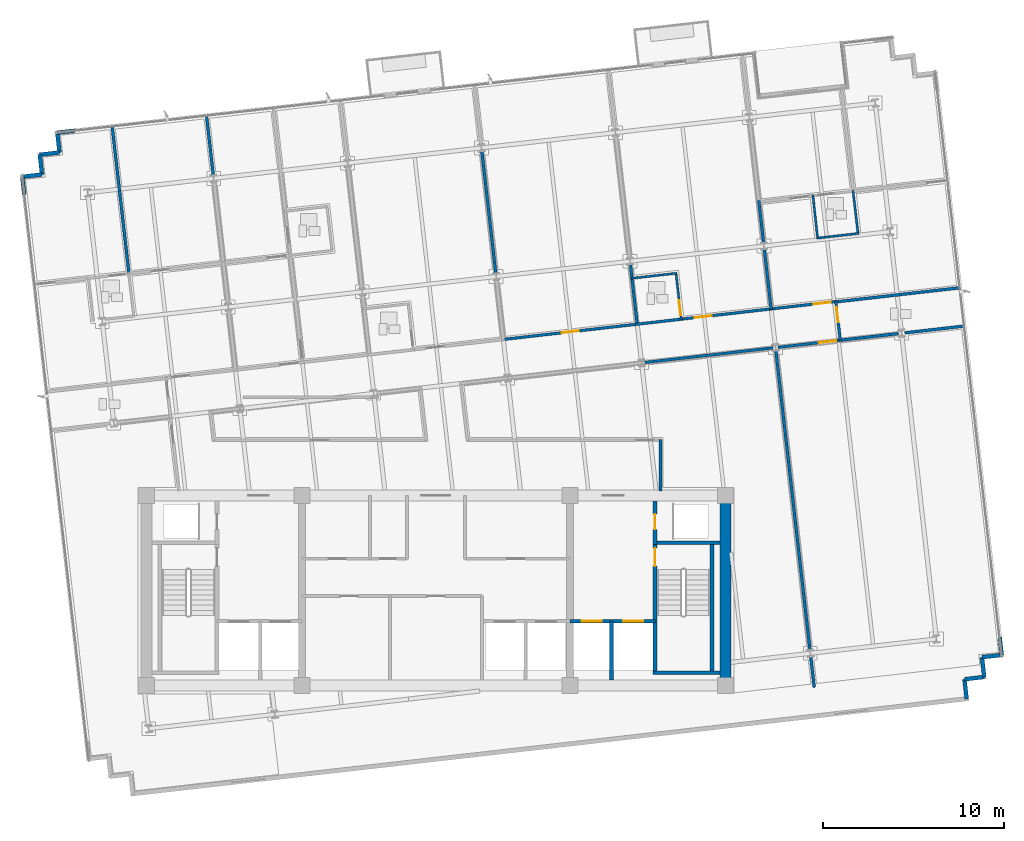
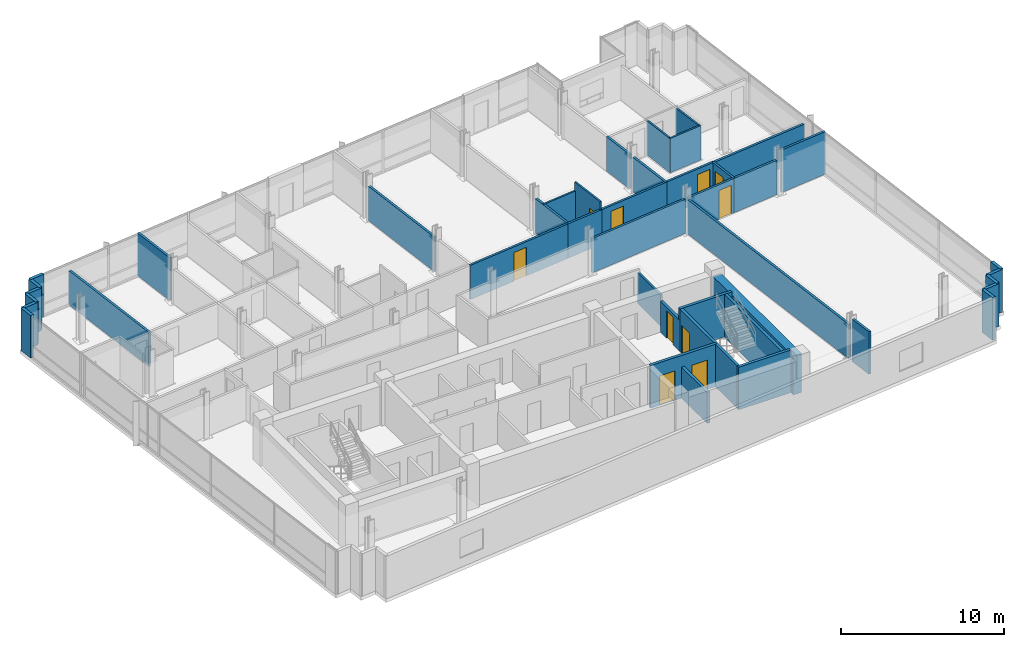
# One storey, part 11 of 16: 43 walls, 10 doors, 10 openings.
"""IFC4 building model written with IfcOpenShell, lengths in metres."""

from ifc_helpers import new_model, si_unit, direction, frame, frame_2d, origin, place, context, subcontext, project, spatial, rectangle, extrude, material, layer, layer_set, type_object, element, fill, save


model = new_model("IFC4")

# Units and contexts
model_context = context("Model", 3, precision=1e-05, world=origin(), true_north=direction((0.0, 1.0)))
body_context = subcontext(model_context, "Body", "Model", "MODEL_VIEW")
ifc_project = project(units=[si_unit("LENGTHUNIT", "METRE"), si_unit("AREAUNIT", "SQUARE_METRE"), si_unit("VOLUMEUNIT", "CUBIC_METRE"), si_unit("PLANEANGLEUNIT", "RADIAN"), si_unit("MASSUNIT", "GRAM", prefix="KILO")], contexts=[model_context])

# Site, building, storey
site_placement = place(None, origin())
site = spatial("IfcSite", under=ifc_project, at=site_placement, CompositionType="ELEMENT")
building_placement = place(site_placement, origin())
building = spatial("IfcBuilding", under=site, at=building_placement, Name="Solmavex Isthmus Hotel", CompositionType="ELEMENT")
storey_placement = place(building_placement, frame((0.0, 0.0, 222.75)))
storey = spatial("IfcBuildingStorey", under=building, at=storey_placement, Name="L60", CompositionType="ELEMENT", Elevation=222.75)

# Walls
ifc_material_1 = material(Name="Precast Concrete C40/50", Category="concrete")
ifc_layer_1 = layer(ifc_material_1, 0.25)
ifc_layer_set_1 = layer_set([ifc_layer_1], Name="Precast Concrete C40/50")
wall_type_1 = type_object("IfcWallType", Name="EW-TWR-250", PredefinedType="STANDARD", material=ifc_layer_set_1)
wall_1_placement = place(storey_placement, frame((-22.74755859375, 14.128173828125, 0.0), z_axis=(0.0, 0.0, 1.0), x_axis=(-0.113191877531, 0.993573147212, 0.0)))
element("IfcWall", 1, at=wall_1_placement, inside=storey, type_object=wall_type_1, Name="Serrated Corner Facade Panel L60-07", PredefinedType="STANDARD", context=body_context, shape_type="SweptSolid", body=[
    extrude(rectangle(XDim=0.989990234375, YDim=0.219970703125, at=frame_2d((0.4951171875, 0.0))), origin(), (0.0, 0.0, 1.0), 3.18994140625),
])
wall_2_placement = place(storey_placement, frame((-22.859619140625, 15.11181640625, 0.0), z_axis=(0.0, 0.0, 1.0), x_axis=(0.99357409499, 0.113183557839, 0.0)))
element("IfcWall", 2, at=wall_2_placement, inside=storey, type_object=wall_type_1, Name="Serrated Corner Facade Panel L60-08", PredefinedType="STANDARD", context=body_context, shape_type="SweptSolid", body=[
    extrude(rectangle(XDim=1.10009765625, YDim=0.219970703125, at=frame_2d((0.550048828125, 0.0))), origin(), (0.0, 0.0, 1.0), 3.18994140625),
])
wall_3_placement = place(storey_placement, frame((-21.7666015625, 15.236328125, 0.0), z_axis=(0.0, 0.0, 1.0), x_axis=(-0.11320852056, 0.99357125103, 0.0)))
element("IfcWall", 3, at=wall_3_placement, inside=storey, type_object=wall_type_1, Name="Serrated Corner Facade Panel L60-09", PredefinedType="STANDARD", context=body_context, shape_type="SweptSolid", body=[
    extrude(rectangle(XDim=1.099853515625, YDim=0.219970703125, at=frame_2d((0.5498046875, 0.0))), origin(), (0.0, 0.0, 1.0), 3.18994140625),
])
for number, where, z_axis, x_axis, name in (
    (4, (-21.89111328125, 16.3291015625, 0.0), (0.0, 0.0, 1.0), (0.99357409499, 0.113183557839, 0.0), "Serrated Corner Facade Panel L60-10"),
    (5, (-20.798095703125, 16.45361328125, 0.0), (0.0, 0.0, 1.0), (-0.113402635104, 0.993549114212, 0.0), "Serrated Corner Facade Panel L60-11"),
):
    element("IfcWall", number, at=place(storey_placement, frame(where, z_axis=z_axis, x_axis=x_axis)), inside=storey, type_object=wall_type_1, Name=name, PredefinedType="STANDARD", context=body_context, shape_type="SweptSolid", body=[
        extrude(rectangle(XDim=1.10009765625, YDim=0.219970703125, at=frame_2d((0.550048828125, 0.0))), origin(), (0.0, 0.0, 1.0), 3.18994140625),
    ])
for number, where, z_axis, x_axis, name in (
    (6, (-20.9228515625, 17.546630859375, 0.0), (0.0, 0.0, 1.0), (0.993573147212, 0.113191877531, 0.0), "Serrated Corner Facade Panel L60-12"),
    (7, (31.1474609375, -10.328125, 0.0), (0.0, 0.0, 1.0), (0.113191877531, -0.993573147212, 0.0), "Serrated Corner Facade Panel L60-21"),
):
    element("IfcWall", number, at=place(storey_placement, frame(where, z_axis=z_axis, x_axis=x_axis)), inside=storey, type_object=wall_type_1, Name=name, PredefinedType="STANDARD", context=body_context, shape_type="SweptSolid", body=[
        extrude(rectangle(XDim=0.989990234375, YDim=0.219970703125, at=frame_2d((0.4951171875, 0.0))), origin(), (0.0, 0.0, 1.0), 3.18994140625),
    ])
wall_4_placement = place(storey_placement, frame((31.259521484375, -11.311767578125, 0.0), z_axis=(0.0, 0.0, 1.0), x_axis=(-0.99357409499, -0.113183557839, 0.0)))
element("IfcWall", 8, at=wall_4_placement, inside=storey, type_object=wall_type_1, Name="Serrated Corner Facade Panel L60-22", PredefinedType="STANDARD", context=body_context, shape_type="SweptSolid", body=[
    extrude(rectangle(XDim=1.10009765625, YDim=0.219970703125, at=frame_2d((0.550048828125, 0.0))), origin(), (0.0, 0.0, 1.0), 3.18994140625),
])
wall_5_placement = place(storey_placement, frame((30.16650390625, -11.436279296875, 0.0), z_axis=(0.0, 0.0, 1.0), x_axis=(0.113427644885, -0.993546259303, 0.0)))
element("IfcWall", 9, at=wall_5_placement, inside=storey, type_object=wall_type_1, Name="Serrated Corner Facade Panel L60-23", PredefinedType="STANDARD", context=body_context, shape_type="SweptSolid", body=[
    extrude(rectangle(XDim=1.099853515625, YDim=0.219970703125, at=frame_2d((0.5498046875, 0.0))), origin(), (0.0, 0.0, 1.0), 3.18994140625),
])
for number, where, z_axis, x_axis, name in (
    (10, (30.291259765625, -12.529052734375, 0.0), (0.0, 0.0, 1.0), (-0.99357409499, -0.113183557839, 0.0), "Serrated Corner Facade Panel L60-24"),
    (11, (29.1982421875, -12.653564453125, 0.0), (0.0, 0.0, 1.0), (0.113183557839, -0.99357409499, 0.0), "Serrated Corner Facade Panel L60-25"),
):
    element("IfcWall", number, at=place(storey_placement, frame(where, z_axis=z_axis, x_axis=x_axis)), inside=storey, type_object=wall_type_1, Name=name, PredefinedType="STANDARD", context=body_context, shape_type="SweptSolid", body=[
        extrude(rectangle(XDim=1.10009765625, YDim=0.219970703125, at=frame_2d((0.550048828125, 0.0))), origin(), (0.0, 0.0, 1.0), 3.18994140625),
    ])
ifc_material_2 = material(Name="Gypsum plasterboard lining", Category="gypsum")
ifc_layer_2 = layer(ifc_material_2, 0.159912109375)
ifc_layer_set_2 = layer_set([ifc_layer_2], Name="Gypsum plasterboard lining")
wall_type_2 = type_object("IfcWallType", Name="IW-COMP-160", PredefinedType="PARTITIONING", material=ifc_layer_set_2)
wall_6_placement = place(storey_placement, frame((-17.891845703125, 17.922119140625, 0.0), z_axis=(0.0, 0.0, 1.0), x_axis=(0.113204062827, -0.993571758938, 0.0)))
element("IfcWall", 12, at=wall_6_placement, inside=storey, type_object=wall_type_2, Name="Interior Partition Wall W-L60-P034", PredefinedType="PARTITIONING", context=body_context, shape_type="SweptSolid", body=[
    extrude(rectangle(XDim=8.26220703125, YDim=0.159912109375, at=frame_2d((4.131103515625, 0.0))), origin(), (0.0, 0.0, 1.0), 2.5576171875),
])
wall_7_placement = place(storey_placement, frame((-12.681396484375, 18.515869140625, 0.0), z_axis=(0.0, 0.0, 1.0), x_axis=(0.113171804991, -0.993575433752, 0.0)))
element("IfcWall", 13, at=wall_7_placement, inside=storey, type_object=wall_type_2, Name="Interior Partition Wall W-L60-P036", PredefinedType="PARTITIONING", context=body_context, shape_type="SweptSolid", body=[
    extrude(rectangle(XDim=3.34375, YDim=0.159912109375, at=frame_2d((1.671875, 0.0))), origin(), (0.0, 0.0, 1.0), 3.18994140625),
])
wall_8_placement = place(storey_placement, frame((2.533203125, 16.529052734375, 0.0), z_axis=(0.0, 0.0, 1.0), x_axis=(0.11321341463, -0.993570693382, 0.0)))
element("IfcWall", 14, at=wall_8_placement, inside=storey, type_object=wall_type_2, Name="Interior Partition Wall W-L60-P051", PredefinedType="PARTITIONING", context=body_context, shape_type="SweptSolid", body=[
    extrude(rectangle(XDim=6.79931640625, YDim=0.159912109375, at=frame_2d((3.399658203125, 0.0))), origin(), (0.0, 0.0, 1.0), 2.572265625),
])
wall_9_placement = place(storey_placement, frame((10.740966796875, 10.265869140625, 0.0), z_axis=(0.0, 0.0, 1.0), x_axis=(0.113220917918, -0.993569838384, 0.0)))
element("IfcWall", 15, at=wall_9_placement, inside=storey, type_object=wall_type_2, Name="Interior Partition Wall W-L60-P055", PredefinedType="PARTITIONING", context=body_context, shape_type="SweptSolid", body=[
    extrude(rectangle(XDim=3.36181640625, YDim=0.159912109375, at=frame_2d((1.680908203125, 0.0))), origin(), (0.0, 0.0, 1.0), 2.572265625),
])
wall_10_placement = place(storey_placement, frame((17.83251953125, 13.7998046875, 0.0), z_axis=(0.0, 0.0, 1.0), x_axis=(0.113172451573, -0.993575360104, 0.0)))
element("IfcWall", 16, at=wall_10_placement, inside=storey, type_object=wall_type_2, Name="Interior Partition Wall W-L60-P058", PredefinedType="PARTITIONING", context=body_context, shape_type="SweptSolid", body=[
    extrude(rectangle(XDim=2.355712890625, YDim=0.159912109375, at=frame_2d((1.177734375, 0.0))), origin(), (0.0, 0.0, 1.0), 2.572265625),
])
wall_11_placement = place(storey_placement, frame((18.13916015625, 11.108642578125, 0.0), z_axis=(0.0, 0.0, 1.0), x_axis=(0.113229088195, -0.993568907317, 0.0)))
element("IfcWall", 17, at=wall_11_placement, inside=storey, type_object=wall_type_2, Name="Interior Partition Wall W-L60-P059", PredefinedType="PARTITIONING", context=body_context, shape_type="SweptSolid", body=[
    extrude(rectangle(XDim=3.361572265625, YDim=0.159912109375, at=frame_2d((1.6806640625, 0.0))), origin(), (0.0, 0.0, 1.0), 2.572265625),
])
wall_12_placement = place(storey_placement, frame((28.977783203125, 8.98046875, 0.0), z_axis=(0.0, 0.0, 1.0), x_axis=(-0.993571800428, -0.113203698681, 0.0)))
element("IfcWall", 18, at=wall_12_placement, inside=storey, type_object=wall_type_2, Name="Interior Partition Wall W-L60-P067", PredefinedType="PARTITIONING", context=body_context, shape_type="SweptSolid", body=[
    extrude(rectangle(XDim=6.968017578125, YDim=0.159912109375, at=frame_2d((3.48388671875, 0.0))), origin(), (0.0, 0.0, 1.0), 2.5576171875),
])
wall_13_placement = place(storey_placement, frame((25.546142578125, 6.44580078125, 0.0), z_axis=(0.0, 0.0, 1.0), x_axis=(-0.993568592225, -0.113231853041, 0.0)))
element("IfcWall", 19, at=wall_13_placement, inside=storey, type_object=wall_type_2, Name="Interior Partition Wall W-L60-P072", PredefinedType="PARTITIONING", context=body_context, shape_type="SweptSolid", body=[
    extrude(rectangle(XDim=3.281494140625, YDim=0.159912109375, at=frame_2d((1.640625, 0.0))), origin(), (0.0, 0.0, 1.0), 2.572265625),
])
wall_14_placement = place(storey_placement, frame((29.21875, 6.864013671875, 0.0), z_axis=(0.0, 0.0, 1.0), x_axis=(-0.993574498496, -0.113180015629, 0.0)))
element("IfcWall", 20, at=wall_14_placement, inside=storey, type_object=wall_type_2, Name="Interior Partition Wall W-L60-P073", PredefinedType="PARTITIONING", context=body_context, shape_type="SweptSolid", body=[
    extrude(rectangle(XDim=3.343505859375, YDim=0.159912109375, at=frame_2d((1.671875, 0.0))), origin(), (0.0, 0.0, 1.0), 3.18994140625),
])
wall_15_placement = place(storey_placement, frame((18.778564453125, 5.4970703125, 0.0), z_axis=(0.0, 0.0, 1.0), x_axis=(0.113202873157, -0.993571894484, 0.0)))
element("IfcWall", 21, at=wall_15_placement, inside=storey, type_object=wall_type_2, Name="Interior Partition Wall W-L60-P074", PredefinedType="PARTITIONING", context=body_context, shape_type="SweptSolid", body=[
    extrude(rectangle(XDim=16.647216796875, YDim=0.159912109375, at=frame_2d((8.32373046875, 0.0))), origin(), (0.0, 0.0, 1.0), 2.572265625),
])
wall_16_placement = place(storey_placement, frame((20.702880859375, -11.3935546875, 0.0), z_axis=(0.0, 0.0, 1.0), x_axis=(0.113261307971, -0.993565234958, 0.0)))
element("IfcWall", 22, at=wall_16_placement, inside=storey, type_object=wall_type_2, Name="Interior Partition Wall W-L60-P075", PredefinedType="PARTITIONING", context=body_context, shape_type="SweptSolid", body=[
    extrude(rectangle(XDim=1.713623046875, YDim=0.159912109375, at=frame_2d((0.85693359375, 0.0))), origin(), (0.0, 0.0, 1.0), 3.18994140625),
])

# Wall, opening, door
ifc_layer_3 = layer(ifc_material_2, 0.14990234375)
ifc_layer_set_3 = layer_set([ifc_layer_3], Name="Gypsum plasterboard lining")
wall_type_3 = type_object("IfcWallType", Name="IW-CORR-150", PredefinedType="PARTITIONING", material=ifc_layer_set_3)
wall_17_placement = place(storey_placement, frame((3.637451171875, 6.11328125, 0.0), z_axis=(0.0, 0.0, 1.0), x_axis=(0.993570360949, 0.113216332056, 0.0)))
wall_17 = element("IfcWall", 23, at=wall_17_placement, inside=storey, type_object=wall_type_3, Name="Interior Partition Wall W-L60-P006", PredefinedType="PARTITIONING", context=body_context, shape_type="SweptSolid", body=[
    extrude(rectangle(XDim=7.60986328125, YDim=0.14990234375, at=frame_2d((3.804931640625, 0.0))), origin(), (0.0, 0.0, 1.0), 2.572265625),
])
opening_1_placement = place(wall_17_placement, frame((3.330078125, 0.0, 0.0)))
opening_1 = element("IfcOpeningElement", 24, at=opening_1_placement, cuts=wall_17, Name="Opening ID-C095", PredefinedType="OPENING", context=body_context, shape_type="SweptSolid", body=[
    extrude(rectangle(XDim=0.949951171875, YDim=2.14990234375, at=frame_2d((0.47509765625, 1.074951171875))), frame((0.0, 0.0849609375, 0.0), z_axis=(0.0, -1.0, 0.0), x_axis=(1.0, 0.0, 0.0)), (0.0, 0.0, 1.0), 0.169921875),
])
ifc_material_3 = material(Name="Hardwood timber", Category="wood")
door_type_1 = type_object("IfcDoorType", Name="IDR-FD60-0950", OperationType="NOTDEFINED", PredefinedType="DOOR", material=ifc_material_3)
door_1_placement = place(opening_1_placement, origin())
door_1 = element("IfcDoor", 25, at=door_1_placement, inside=storey, type_object=door_type_1, Name="Ambassador Banquet Lounge Door L60-11", OperationType="SINGLE_SWING_LEFT", OverallHeight=2.14990234375, OverallWidth=0.949951171875, PredefinedType="DOOR", context=body_context, shape_type="SweptSolid", body=[
    extrude(rectangle(XDim=0.949951171875, YDim=2.14990234375, at=frame_2d((0.47509765625, 1.074951171875))), frame((0.0, 0.02490234375, 0.0), z_axis=(0.0, -1.0, 0.0), x_axis=(1.0, 0.0, 0.0)), (0.0, 0.0, 1.0), 0.050048828125),
])
fill(opening_1, door_1)

wall_18_placement = place(storey_placement, frame((13.4697265625, 7.233642578125, 0.0), z_axis=(0.0, 0.0, 1.0), x_axis=(0.993569981158, 0.113219664996, 0.0)))
wall_18 = element("IfcWall", 26, at=wall_18_placement, inside=storey, type_object=wall_type_3, Name="Interior Partition Wall W-L60-P007", PredefinedType="PARTITIONING", context=body_context, shape_type="SweptSolid", body=[
    extrude(rectangle(XDim=5.16015625, YDim=0.14990234375, at=frame_2d((2.580078125, 0.0))), origin(), (0.0, 0.0, 1.0), 2.572265625),
])
opening_2_placement = place(wall_18_placement, frame((0.82470703125, 0.0, 0.0)))
opening_2 = element("IfcOpeningElement", 27, at=opening_2_placement, cuts=wall_18, Name="Opening ID-C095", PredefinedType="OPENING", context=body_context, shape_type="SweptSolid", body=[
    extrude(rectangle(XDim=0.949951171875, YDim=2.14990234375, at=frame_2d((0.47509765625, 1.074951171875))), frame((0.0, 0.0849609375, 0.0), z_axis=(0.0, -1.0, 0.0), x_axis=(1.0, 0.0, 0.0)), (0.0, 0.0, 1.0), 0.169921875),
])
door_2_placement = place(opening_2_placement, origin())
door_2 = element("IfcDoor", 28, at=door_2_placement, inside=storey, type_object=door_type_1, Name="Corner Diplomatic Suite Door L60-12", OperationType="SINGLE_SWING_RIGHT", OverallHeight=2.14990234375, OverallWidth=0.949951171875, PredefinedType="DOOR", context=body_context, shape_type="SweptSolid", body=[
    extrude(rectangle(XDim=0.949951171875, YDim=2.14990234375, at=frame_2d((0.47509765625, 1.074951171875))), frame((0.0, 0.02490234375, 0.0), z_axis=(0.0, -1.0, 0.0), x_axis=(1.0, 0.0, 0.0)), (0.0, 0.0, 1.0), 0.050048828125),
])
fill(opening_2, door_2)

# Wall
wall_19_placement = place(storey_placement, frame((11.03564453125, 6.956298828125, 0.0), z_axis=(0.0, 0.0, 1.0), x_axis=(0.993572349416, 0.113198880193, 0.0)))
element("IfcWall", 29, at=wall_19_placement, inside=storey, type_object=wall_type_3, Name="Interior Partition Wall W-L60-P008", PredefinedType="PARTITIONING", context=body_context, shape_type="SweptSolid", body=[
    extrude(rectangle(XDim=2.614013671875, YDim=0.14990234375, at=frame_2d((1.30712890625, 0.0))), origin(), (0.0, 0.0, 1.0), 2.572265625),
])

# Wall, opening, door
wall_20_placement = place(storey_placement, frame((18.43359375, 7.79931640625, 0.0), z_axis=(0.0, 0.0, 1.0), x_axis=(0.993578468541, 0.11314515832, 0.0)))
wall_20 = element("IfcWall", 30, at=wall_20_placement, inside=storey, type_object=wall_type_3, Name="Interior Partition Wall W-L60-P009", PredefinedType="PARTITIONING", context=body_context, shape_type="SweptSolid", body=[
    extrude(rectangle(XDim=3.72216796875, YDim=0.14990234375, at=frame_2d((1.861083984375, 0.0))), origin(), (0.0, 0.0, 1.0), 2.572265625),
])
opening_3_placement = place(wall_20_placement, frame((2.456787109375, 0.0, 0.0)))
opening_3 = element("IfcOpeningElement", 31, at=opening_3_placement, cuts=wall_20, Name="Opening ID-C095", PredefinedType="OPENING", context=body_context, shape_type="SweptSolid", body=[
    extrude(rectangle(XDim=0.949951171875, YDim=2.14990234375, at=frame_2d((0.47509765625, 1.074951171875))), frame((0.0, 0.0849609375, 0.0), z_axis=(0.0, -1.0, 0.0), x_axis=(1.0, 0.0, 0.0)), (0.0, 0.0, 1.0), 0.169921875),
])
door_3_placement = place(opening_3_placement, origin())
door_3 = element("IfcDoor", 32, at=door_3_placement, inside=storey, type_object=door_type_1, Name="Diplomatic Hospitality Suite Reception Foyer Door L60-14", OperationType="SINGLE_SWING_RIGHT", OverallHeight=2.14990234375, OverallWidth=0.949951171875, PredefinedType="DOOR", context=body_context, shape_type="SweptSolid", body=[
    extrude(rectangle(XDim=0.949951171875, YDim=2.14990234375, at=frame_2d((0.47509765625, 1.074951171875))), frame((0.0, 0.02490234375, 0.0), z_axis=(0.0, -1.0, 0.0), x_axis=(1.0, 0.0, 0.0)), (0.0, 0.0, 1.0), 0.050048828125),
])
fill(opening_3, door_3)

wall_21_placement = place(storey_placement, frame((22.08984375, 8.23583984375, 0.0), z_axis=(0.0, 0.0, 1.0), x_axis=(0.113122854389, -0.993581008179, 0.0)))
wall_21 = element("IfcWall", 33, at=wall_21_placement, inside=storey, type_object=wall_type_3, Name="Interior Partition Wall W-L60-P011", PredefinedType="PARTITIONING", context=body_context, shape_type="SweptSolid", body=[
    extrude(rectangle(XDim=2.2099609375, YDim=0.14990234375, at=frame_2d((1.10498046875, 0.0))), origin(), (0.0, 0.0, 1.0), 2.572265625),
])
opening_4_placement = place(wall_21_placement, frame((0.322265625, 0.0, 0.0)))
opening_4 = element("IfcOpeningElement", 34, at=opening_4_placement, cuts=wall_21, Name="Opening ID-R085", PredefinedType="OPENING", context=body_context, shape_type="SweptSolid", body=[
    extrude(rectangle(XDim=0.85009765625, YDim=2.050048828125, at=frame_2d((0.425048828125, 1.02490234375))), frame((0.0, 0.0849609375, 0.0), z_axis=(0.0, -1.0, 0.0), x_axis=(1.0, 0.0, 0.0)), (0.0, 0.0, 1.0), 0.169921875),
])
ifc_material_4 = material(Name="Steel ASTM A500 Grade C", Category="steel")
door_type_2 = type_object("IfcDoorType", Name="IDR-FD60-0850", OperationType="NOTDEFINED", PredefinedType="DOOR", material=ifc_material_4)
door_4_placement = place(opening_4_placement, frame((0.85009765625, 0.0, 0.0), z_axis=(0.0, 0.0, 1.0), x_axis=(-1.0, 0.0, 0.0)))
door_4 = element("IfcDoor", 35, at=door_4_placement, inside=storey, type_object=door_type_2, Name="Public Restroom WC Door L60-19", OperationType="SINGLE_SWING_LEFT", OverallHeight=2.050048828125, OverallWidth=0.85009765625, PredefinedType="DOOR", context=body_context, shape_type="SweptSolid", body=[
    extrude(rectangle(XDim=0.85009765625, YDim=2.050048828125, at=frame_2d((0.425048828125, 1.02490234375))), frame((0.0, 0.02490234375, 0.0), z_axis=(0.0, -1.0, 0.0), x_axis=(1.0, 0.0, 0.0)), (0.0, 0.0, 1.0), 0.050048828125),
])
fill(opening_4, door_4)

# Walls
wall_22_placement = place(storey_placement, frame((12.39990234375, 0.590087890625, 0.0), z_axis=(0.0, 0.0, 1.0), x_axis=(0.0, -1.0, 0.0)))
element("IfcWall", 36, at=wall_22_placement, inside=storey, type_object=wall_type_3, Name="Interior Partition Wall W-L60-P022", PredefinedType="PARTITIONING", context=body_context, shape_type="SweptSolid", body=[
    extrude(rectangle(XDim=2.830078125, YDim=0.14990234375, at=frame_2d((1.4150390625, 0.0))), origin(), (0.0, 0.0, 1.0), 2.324951171875),
])
wall_23_placement = place(storey_placement, frame((18.625, 5.6572265625, 0.0), z_axis=(0.0, 0.0, 1.0), x_axis=(-0.993569785772, -0.11322137961, 0.0)))
element("IfcWall", 37, at=wall_23_placement, inside=storey, type_object=wall_type_3, Name="Interior Partition Wall W-L60-P024", PredefinedType="PARTITIONING", context=body_context, shape_type="SweptSolid", body=[
    extrude(rectangle(XDim=7.13525390625, YDim=0.14990234375, at=frame_2d((3.567626953125, 0.0))), origin(), (0.0, 0.0, 1.0), 2.572265625),
])

# Wall, opening, door
wall_24_placement = place(storey_placement, frame((22.375244140625, 6.08447265625, 0.0), z_axis=(0.0, 0.0, 1.0), x_axis=(-0.993568982909, -0.113228424882, 0.0)))
wall_24 = element("IfcWall", 38, at=wall_24_placement, inside=storey, type_object=wall_type_3, Name="Interior Partition Wall W-L60-P025", PredefinedType="PARTITIONING", context=body_context, shape_type="SweptSolid", body=[
    extrude(rectangle(XDim=3.505859375, YDim=0.14990234375, at=frame_2d((1.7529296875, 0.0))), origin(), (0.0, 0.0, 1.0), 2.572265625),
])
opening_5_placement = place(wall_24_placement, frame((0.270751953125, 0.0, 0.0)))
opening_5 = element("IfcOpeningElement", 39, at=opening_5_placement, cuts=wall_24, Name="Opening ID-C095", PredefinedType="OPENING", context=body_context, shape_type="SweptSolid", body=[
    extrude(rectangle(XDim=0.949951171875, YDim=2.14990234375, at=frame_2d((0.47509765625, 1.074951171875))), frame((0.0, 0.0849609375, 0.0), z_axis=(0.0, -1.0, 0.0), x_axis=(1.0, 0.0, 0.0)), (0.0, 0.0, 1.0), 0.169921875),
])
door_5_placement = place(opening_5_placement, origin())
door_5 = element("IfcDoor", 40, at=door_5_placement, inside=storey, type_object=door_type_1, Name="Corporate Briefing Office Door L60-23", OperationType="SINGLE_SWING_LEFT", OverallHeight=2.14990234375, OverallWidth=0.949951171875, PredefinedType="DOOR", context=body_context, shape_type="SweptSolid", body=[
    extrude(rectangle(XDim=0.949951171875, YDim=2.14990234375, at=frame_2d((0.47509765625, 1.074951171875))), frame((0.0, 0.02490234375, 0.0), z_axis=(0.0, -1.0, 0.0), x_axis=(1.0, 0.0, 0.0)), (0.0, 0.0, 1.0), 0.050048828125),
])
fill(opening_5, door_5)

ifc_layer_4 = layer(ifc_material_2, 0.1201171875)
ifc_layer_set_4 = layer_set([ifc_layer_4], Name="Gypsum plasterboard lining")
wall_type_4 = type_object("IfcWallType", Name="IW-PART-120", PredefinedType="PARTITIONING", material=ifc_layer_set_4)
wall_25_placement = place(storey_placement, frame((13.555908203125, 7.203125, 0.0), z_axis=(0.0, 0.0, 1.0), x_axis=(-0.113242913364, 0.993567331676, 0.0)))
wall_25 = element("IfcWall", 41, at=wall_25_placement, inside=storey, type_object=wall_type_4, Name="Interior Partition Wall W-L60-P056", PredefinedType="PARTITIONING", context=body_context, shape_type="SweptSolid", body=[
    extrude(rectangle(XDim=2.630126953125, YDim=0.1201171875, at=frame_2d((1.31494140625, 0.0))), origin(), (0.0, 0.0, 1.0), 3.18994140625),
])
opening_6_placement = place(wall_25_placement, frame((0.247314453125, 0.0, 0.0)))
opening_6 = element("IfcOpeningElement", 42, at=opening_6_placement, cuts=wall_25, Name="Opening ID-U085", PredefinedType="OPENING", context=body_context, shape_type="SweptSolid", body=[
    extrude(rectangle(XDim=0.85009765625, YDim=2.10009765625, at=frame_2d((0.425048828125, 1.050048828125))), frame((0.0, 0.070068359375, 0.0), z_axis=(0.0, -1.0, 0.0), x_axis=(1.0, 0.0, 0.0)), (0.0, 0.0, 1.0), 0.14013671875),
])
door_type_3 = type_object("IfcDoorType", Name="IDR-UNR-0850", OperationType="NOTDEFINED", PredefinedType="DOOR", material=ifc_material_3)
door_6_placement = place(opening_6_placement, frame((0.85009765625, 0.0, 0.0), z_axis=(0.0, 0.0, 1.0), x_axis=(-1.0, 0.0, 0.0)))
door_6 = element("IfcDoor", 43, at=door_6_placement, inside=storey, type_object=door_type_3, Name="En-suite Bathroom Door L60-13", OperationType="SINGLE_SWING_LEFT", OverallHeight=2.10009765625, OverallWidth=0.85009765625, PredefinedType="DOOR", context=body_context, shape_type="SweptSolid", body=[
    extrude(rectangle(XDim=0.85009765625, YDim=2.10009765625, at=frame_2d((0.425048828125, 1.050048828125))), frame((0.0, 0.02490234375, 0.0), z_axis=(0.0, -1.0, 0.0), x_axis=(1.0, 0.0, 0.0)), (0.0, 0.0, 1.0), 0.050048828125),
])
fill(opening_6, door_6)

# Walls
wall_26_placement = place(storey_placement, frame((13.30224609375, 9.781005859375, 0.0), z_axis=(0.0, 0.0, 1.0), x_axis=(-0.99357273507, -0.113195495167, 0.0)))
element("IfcWall", 44, at=wall_26_placement, inside=storey, type_object=wall_type_4, Name="Interior Partition Wall W-L60-P057", PredefinedType="PARTITIONING", context=body_context, shape_type="SweptSolid", body=[
    extrude(rectangle(XDim=2.530029296875, YDim=0.1201171875, at=frame_2d((1.26513671875, 0.0))), origin(), (0.0, 0.0, 1.0), 2.572265625),
])
wall_27_placement = place(storey_placement, frame((20.822265625, 14.09814453125, 0.0), z_axis=(0.0, 0.0, 1.0), x_axis=(0.108909641448, -0.994051653587, 0.0)))
element("IfcWall", 45, at=wall_27_placement, inside=storey, type_object=wall_type_4, Name="Interior Partition Wall W-L60-P064", PredefinedType="PARTITIONING", context=body_context, shape_type="SweptSolid", body=[
    extrude(rectangle(XDim=2.429931640625, YDim=0.1201171875, at=frame_2d((1.21484375, 0.0))), origin(), (0.0, 0.0, 1.0), 2.572265625),
])
wall_28_placement = place(storey_placement, frame((21.04296875, 11.7177734375, 0.0), z_axis=(0.0, 0.0, 1.0), x_axis=(0.99357583204, 0.113168308226, 0.0)))
element("IfcWall", 46, at=wall_28_placement, inside=storey, type_object=wall_type_4, Name="Interior Partition Wall W-L60-P065", PredefinedType="PARTITIONING", context=body_context, shape_type="SweptSolid", body=[
    extrude(rectangle(XDim=2.329833984375, YDim=0.1201171875, at=frame_2d((1.1650390625, 0.0))), origin(), (0.0, 0.0, 1.0), 2.572265625),
])
wall_29_placement = place(storey_placement, frame((23.32275390625, 11.937255859375, 0.0), z_axis=(0.0, 0.0, 1.0), x_axis=(-0.117342526496, 0.993091502066, 0.0)))
element("IfcWall", 47, at=wall_29_placement, inside=storey, type_object=wall_type_4, Name="Interior Partition Wall W-L60-P066", PredefinedType="PARTITIONING", context=body_context, shape_type="SweptSolid", body=[
    extrude(rectangle(XDim=2.43017578125, YDim=0.1201171875, at=frame_2d((1.215087890625, 0.0))), origin(), (0.0, 0.0, 1.0), 2.572265625),
])

# Wall, opening, door
ifc_material_5 = material(Name="Concrete C40/50", Category="concrete")
ifc_layer_5 = layer(ifc_material_5, 0.199951171875)
ifc_layer_set_5 = layer_set([ifc_layer_5], Name="Concrete C40/50")
wall_type_5 = type_object("IfcWallType", Name="IW-SHAFT-200", PredefinedType="PARTITIONING", material=ifc_layer_set_5)
wall_30_placement = place(storey_placement, frame((12.10009765625, -5.199951171875, 0.0), z_axis=(0.0, 0.0, 1.0), x_axis=(0.0, 1.0, 0.0)))
wall_30 = element("IfcWall", 48, at=wall_30_placement, inside=storey, type_object=wall_type_5, Name="Interior Partition Wall W-L60-RSE-W", PredefinedType="PARTITIONING", context=body_context, shape_type="SweptSolid", body=[
    extrude(rectangle(XDim=2.39990234375, YDim=0.199951171875, at=frame_2d((1.199951171875, 0.0))), origin(), (0.0, 0.0, 1.0), 2.324951171875),
])
opening_7_placement = place(wall_30_placement, frame((0.824951171875, 0.0, 0.0)))
opening_7 = element("IfcOpeningElement", 49, at=opening_7_placement, cuts=wall_30, Name="Opening ID-R085", PredefinedType="OPENING", context=body_context, shape_type="SweptSolid", body=[
    extrude(rectangle(XDim=0.85009765625, YDim=2.050048828125, at=frame_2d((0.425048828125, 1.02490234375))), frame((0.0, 0.10986328125, 0.0), z_axis=(0.0, -1.0, 0.0), x_axis=(1.0, 0.0, 0.0)), (0.0, 0.0, 1.0), 0.219970703125),
])
door_7_placement = place(opening_7_placement, frame((0.85009765625, 0.0, 0.0), z_axis=(0.0, 0.0, 1.0), x_axis=(-1.0, 0.0, 0.0)))
door_7 = element("IfcDoor", 50, at=door_7_placement, inside=storey, type_object=door_type_2, Name="Mechanical Riser Door L60", OperationType="SINGLE_SWING_LEFT", OverallHeight=2.050048828125, OverallWidth=0.85009765625, PredefinedType="DOOR", context=body_context, shape_type="SweptSolid", body=[
    extrude(rectangle(XDim=0.85009765625, YDim=2.050048828125, at=frame_2d((0.425048828125, 1.02490234375))), frame((0.0, 0.02490234375, 0.0), z_axis=(0.0, -1.0, 0.0), x_axis=(1.0, 0.0, 0.0)), (0.0, 0.0, 1.0), 0.050048828125),
])
fill(opening_7, door_7)

# Wall, openings, doors
wall_31_placement = place(storey_placement, frame((7.39990234375, -9.449951171875, 0.0), z_axis=(0.0, 0.0, 1.0), x_axis=(1.0, 0.0, 0.0)))
wall_31 = element("IfcWall", 51, at=wall_31_placement, inside=storey, type_object=wall_type_5, Name="Interior Partition Wall W-L60-FFLE-S", PredefinedType="PARTITIONING", context=body_context, shape_type="SweptSolid", body=[
    extrude(rectangle(XDim=4.7001953125, YDim=0.199951171875, at=frame_2d((2.35009765625, 0.0))), origin(), (0.0, 0.0, 1.0), 3.18994140625),
])
opening_8_placement = place(wall_31_placement, frame((2.949951171875, 0.0, 0.0)))
opening_8 = element("IfcOpeningElement", 52, at=opening_8_placement, cuts=wall_31, Name="Opening LD-FF", PredefinedType="OPENING", context=body_context, shape_type="SweptSolid", body=[
    extrude(rectangle(XDim=1.10009765625, YDim=2.199951171875, at=frame_2d((0.550048828125, 1.10009765625))), frame((0.0, 0.10986328125, 0.0), z_axis=(0.0, -1.0, 0.0), x_axis=(1.0, 0.0, 0.0)), (0.0, 0.0, 1.0), 0.219970703125),
])
opening_9_placement = place(wall_31_placement, frame((0.64990234375, 0.0, 0.0)))
opening_9 = element("IfcOpeningElement", 53, at=opening_9_placement, cuts=wall_31, Name="Opening LD-SV", PredefinedType="OPENING", context=body_context, shape_type="SweptSolid", body=[
    extrude(rectangle(XDim=1.10009765625, YDim=2.199951171875, at=frame_2d((0.550048828125, 1.10009765625))), frame((0.0, 0.10986328125, 0.0), z_axis=(0.0, -1.0, 0.0), x_axis=(1.0, 0.0, 0.0)), (0.0, 0.0, 1.0), 0.219970703125),
])
ifc_material_6 = material(Name="Stainless steel 316", Category="steel")
door_type_4 = type_object("IfcDoorType", Name="LDR-FF-1100", OperationType="NOTDEFINED", PredefinedType="DOOR", material=ifc_material_6)
door_8_placement = place(opening_8_placement, origin())
door_8 = element("IfcDoor", 54, at=door_8_placement, inside=storey, type_object=door_type_4, Name="Lift Landing Door FFL-2 L60", OperationType="SLIDING_TO_LEFT", OverallHeight=2.199951171875, OverallWidth=1.10009765625, PredefinedType="DOOR", context=body_context, shape_type="SweptSolid", body=[
    extrude(rectangle(XDim=1.10009765625, YDim=2.199951171875, at=frame_2d((0.550048828125, 1.10009765625))), frame((0.0, 0.02490234375, 0.0), z_axis=(0.0, -1.0, 0.0), x_axis=(1.0, 0.0, 0.0)), (0.0, 0.0, 1.0), 0.050048828125),
])
fill(opening_8, door_8)
door_type_5 = type_object("IfcDoorType", Name="LDR-SV-1100", OperationType="NOTDEFINED", PredefinedType="DOOR", material=ifc_material_6)
door_9_placement = place(opening_9_placement, origin())
door_9 = element("IfcDoor", 55, at=door_9_placement, inside=storey, type_object=door_type_5, Name="Lift Landing Door SVL-2 L60", OperationType="SLIDING_TO_RIGHT", OverallHeight=2.199951171875, OverallWidth=1.10009765625, PredefinedType="DOOR", context=body_context, shape_type="SweptSolid", body=[
    extrude(rectangle(XDim=1.10009765625, YDim=2.199951171875, at=frame_2d((0.550048828125, 1.10009765625))), frame((0.0, 0.02490234375, 0.0), z_axis=(0.0, -1.0, 0.0), x_axis=(1.0, 0.0, 0.0)), (0.0, 0.0, 1.0), 0.050048828125),
])
fill(opening_9, door_9)

# Walls
wall_32_placement = place(storey_placement, frame((9.699951171875, -12.699951171875, 0.0), z_axis=(0.0, 0.0, 1.0), x_axis=(0.0, 1.0, 0.0)))
element("IfcWall", 56, at=wall_32_placement, inside=storey, type_object=wall_type_5, Name="Interior Partition Wall W-L60-FFLE-M", PredefinedType="PARTITIONING", context=body_context, shape_type="SweptSolid", body=[
    extrude(rectangle(XDim=3.25, YDim=0.199951171875, at=frame_2d((1.625, 0.0))), origin(), (0.0, 0.0, 1.0), 2.324951171875),
])
ifc_material_7 = material(Name="Concrete C50/60", Category="concrete")
ifc_layer_6 = layer(ifc_material_7, 0.60009765625)
ifc_layer_set_6 = layer_set([ifc_layer_6], Name="Concrete C50/60")
wall_type_6 = type_object("IfcWallType", Name="WALL-CW-600", PredefinedType="SHEAR", material=ifc_layer_set_6)
wall_33_placement = place(storey_placement, frame((16.0, -12.699951171875, 0.0), z_axis=(0.0, 0.0, 1.0), x_axis=(0.0, 1.0, 0.0)))
element("IfcWall", 57, at=wall_33_placement, inside=storey, type_object=wall_type_6, Name="Core Shear Wall East L60", PredefinedType="SHEAR", context=body_context, shape_type="SweptSolid", body=[
    extrude(rectangle(XDim=9.89990234375, YDim=0.60009765625, at=frame_2d((4.949951171875, 0.0))), origin(), (0.0, 0.0, 1.0), 2.909912109375),
])
ifc_layer_7 = layer(ifc_material_5, 0.199951171875)
ifc_layer_set_7 = layer_set([ifc_layer_7], Name="Concrete C40/50")
wall_type_7 = type_object("IfcWallType", Name="WALL-SW-200", PredefinedType="SOLIDWALL", material=ifc_layer_set_7)
for number, where, z_axis, x_axis, name in (
    (58, (12.0, -12.300048828125, 0.0), (0.0, 0.0, 1.0), (1.0, 0.0, 0.0), "Stairwell Structural Wall SW-L60-ST2-S"),
    (59, (12.0, -5.10009765625, 0.0), (0.0, 0.0, 1.0), (1.0, 0.0, 0.0), "Stairwell Structural Wall SW-L60-ST2-N"),
):
    element("IfcWall", number, at=place(storey_placement, frame(where, z_axis=z_axis, x_axis=x_axis)), inside=storey, type_object=wall_type_7, Name=name, PredefinedType="SOLIDWALL", context=body_context, shape_type="SweptSolid", body=[
        extrude(rectangle(XDim=3.699951171875, YDim=0.199951171875, at=frame_2d((1.85009765625, 0.0))), origin(), (0.0, 0.0, 1.0), 3.18994140625),
    ])

# Wall, opening, door
wall_34_placement = place(storey_placement, frame((12.10009765625, -12.199951171875, 0.0), z_axis=(0.0, 0.0, 1.0), x_axis=(0.0, 1.0, 0.0)))
wall_34 = element("IfcWall", 60, at=wall_34_placement, inside=storey, type_object=wall_type_7, Name="Stairwell Structural Wall SW-L60-ST2-W", PredefinedType="SOLIDWALL", context=body_context, shape_type="SweptSolid", body=[
    extrude(rectangle(XDim=7.0, YDim=0.199951171875, at=frame_2d((3.5, 0.0))), origin(), (0.0, 0.0, 1.0), 3.18994140625),
])
opening_10_placement = place(wall_34_placement, frame((5.800048828125, 0.0, 0.0)))
opening_10 = element("IfcOpeningElement", 61, at=opening_10_placement, cuts=wall_34, Name="Opening ID-F100", PredefinedType="OPENING", context=body_context, shape_type="SweptSolid", body=[
    extrude(rectangle(XDim=1.0, YDim=2.10009765625, at=frame_2d((0.5, 1.050048828125))), frame((0.0, 0.10986328125, 0.0), z_axis=(0.0, -1.0, 0.0), x_axis=(1.0, 0.0, 0.0)), (0.0, 0.0, 1.0), 0.219970703125),
])
door_type_6 = type_object("IfcDoorType", Name="IDR-FD90-1000", OperationType="NOTDEFINED", PredefinedType="DOOR", material=ifc_material_4)
door_10_placement = place(opening_10_placement, origin())
door_10 = element("IfcDoor", 62, at=door_10_placement, inside=storey, type_object=door_type_6, Name="Stair ST-2 Fire Door L60", OperationType="SINGLE_SWING_RIGHT", OverallHeight=2.10009765625, OverallWidth=1.0, PredefinedType="DOOR", context=body_context, shape_type="SweptSolid", body=[
    extrude(rectangle(XDim=1.0, YDim=2.10009765625, at=frame_2d((0.5, 1.050048828125))), frame((0.0, 0.02490234375, 0.0), z_axis=(0.0, -1.0, 0.0), x_axis=(1.0, 0.0, 0.0)), (0.0, 0.0, 1.0), 0.050048828125),
])
fill(opening_10, door_10)

# Wall
wall_35_placement = place(storey_placement, frame((15.25, -12.199951171875, 0.0), z_axis=(0.0, 0.0, 1.0), x_axis=(0.0, 1.0, 0.0)))
element("IfcWall", 63, at=wall_35_placement, inside=storey, type_object=wall_type_7, Name="Stairwell Structural Wall SW-L60-ST2-E", PredefinedType="SOLIDWALL", context=body_context, shape_type="SweptSolid", body=[
    extrude(rectangle(XDim=7.0, YDim=0.199951171875, at=frame_2d((3.5, 0.0))), origin(), (0.0, 0.0, 1.0), 3.18994140625),
])

save(model, "model.ifc")
